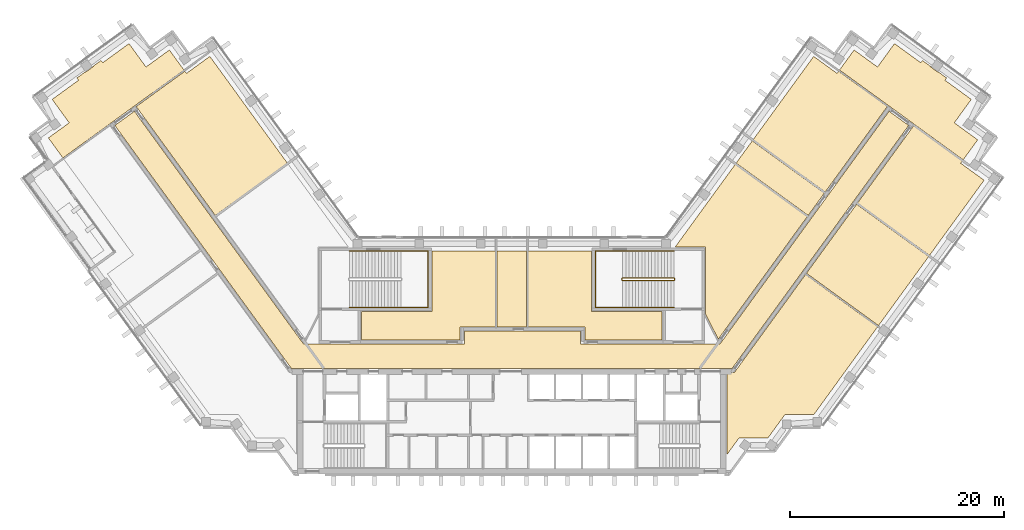
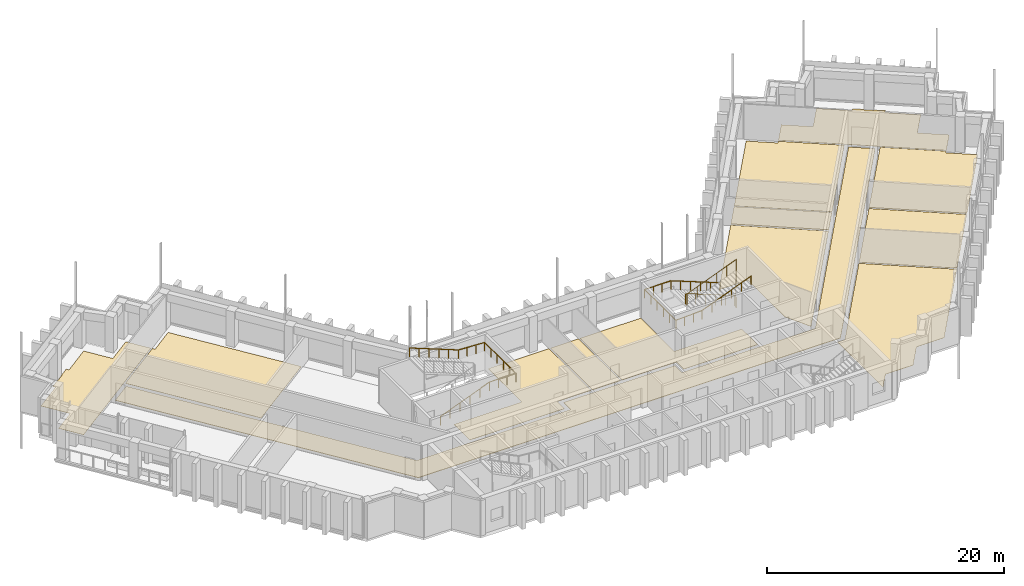
# One storey, part 13 of 13: 13 coverings, 3 railings.
"""IFC4 building model written with IfcOpenShell, lengths in metres."""

from ifc_helpers import new_model, si_unit, direction, frame, origin, origin_2d, place, context, subcontext, project, spatial, polyline, circle, outline, extrude, material, layer, layer_set, type_object, element, save


model = new_model("IFC4")

# Units and contexts
model_context = context("Model", 3, precision=1e-05, world=origin(), true_north=direction((0.0, 1.0)))
body_context = subcontext(model_context, "Body", "Model", "MODEL_VIEW")
ifc_project = project(units=[si_unit("LENGTHUNIT", "METRE"), si_unit("AREAUNIT", "SQUARE_METRE"), si_unit("VOLUMEUNIT", "CUBIC_METRE"), si_unit("PLANEANGLEUNIT", "RADIAN"), si_unit("MASSUNIT", "GRAM", prefix="KILO")], contexts=[model_context])

# Site, building, storey
site_placement = place(None, origin())
site = spatial("IfcSite", under=ifc_project, at=site_placement, CompositionType="ELEMENT")
building_placement = place(site_placement, origin())
building = spatial("IfcBuilding", under=site, at=building_placement, Name="Quipu Civic Tower", CompositionType="ELEMENT")
storey_placement = place(building_placement, frame((0.0, 0.0, 148.0)))
storey = spatial("IfcBuildingStorey", under=building, at=storey_placement, Name="L34", CompositionType="ELEMENT", Elevation=148.0)

# Coverings
ifc_material_1 = material(Name="Carpet tile on raised access floor")
ifc_layer_1 = layer(ifc_material_1, 0.02001953125)
ifc_layer_set_1 = layer_set([ifc_layer_1], Name="Carpet tile on raised access floor")
covering_type_1 = type_object("IfcCoveringType", Name="Carpet tile floor finish 20", PredefinedType="FLOORING", material=ifc_layer_set_1)
covering_1_placement = place(storey_placement, origin())
element("IfcCovering", 1, at=covering_1_placement, inside=storey, type_object=covering_type_1, Name="Carpet tile floor finish 20", PredefinedType="FLOORING", context=body_context, shape_type="SweptSolid", body=[
    extrude(outline(polyline([(-43.235107421875, 20.362060546875), (-41.2939453125, 21.77294921875), (-42.881103515625, 23.95703125), (-40.424072265625, 25.740966796875), (-40.574951171875, 25.952880859375), (-39.81298828125, 26.507080078125), (-39.80908203125, 26.5029296875), (-39.804931640625, 26.5009765625), (-39.801025390625, 26.498046875), (-39.7958984375, 26.49609375), (-39.7919921875, 26.4951171875), (-39.787109375, 26.493896484375), (-39.781982421875, 26.492919921875), (-39.777099609375, 26.492919921875), (-39.77197265625, 26.493896484375), (-39.76806640625, 26.4951171875), (-39.762939453125, 26.49609375), (-39.758056640625, 26.498046875), (-39.75390625, 26.5), (-39.75, 26.5029296875), (-39.10302734375, 26.972900390625), (-39.09912109375, 26.97607421875), (-39.094970703125, 26.97998046875), (-39.092041015625, 26.98291015625), (-39.089111328125, 26.987060546875), (-39.0869140625, 26.991943359375), (-39.0849609375, 26.99609375), (-39.083984375, 27.0009765625), (-39.0830078125, 27.006103515625), (-39.08203125, 27.010986328125), (-39.08203125, 27.014892578125), (-39.08203125, 27.02001953125), (-39.0830078125, 27.02490234375), (-39.0849609375, 27.030029296875), (-39.0869140625, 27.033935546875), (-38.324951171875, 27.587890625), (-38.169921875, 27.37890625), (-35.712890625, 29.1640625), (-34.126953125, 26.97998046875), (-31.94189453125, 28.56591796875), (-30.583984375, 26.697021484375), (-41.8779296875, 18.492919921875), (-43.235107421875, 20.362060546875)])), origin(), (0.0, 0.0, 1.0), 0.02001953125),
])
covering_2_placement = place(storey_placement, origin())
element("IfcCovering", 2, at=covering_2_placement, inside=storey, type_object=covering_type_1, Name="Carpet tile floor finish 20", PredefinedType="FLOORING", context=body_context, shape_type="SweptSolid", body=[
    extrude(outline(polyline([(15.238037109375, 10.169921875), (20.85498046875, 17.90087890625), (27.577880859375, 13.01708984375), (19.27197265625, 1.583984375), (18.070068359375, 3.94189453125), (18.070068359375, 10.1689453125), (15.238037109375, 10.169921875)])), origin(), (0.0, 0.0, 1.0), 0.02001953125),
])
covering_3_placement = place(storey_placement, origin())
element("IfcCovering", 3, at=covering_3_placement, inside=storey, type_object=covering_type_1, Name="Carpet tile floor finish 20", PredefinedType="FLOORING", context=body_context, shape_type="SweptSolid", body=[
    extrude(outline(polyline([(22.52490234375, 20.197998046875), (28.169921875, 27.968994140625), (30.35302734375, 26.383056640625), (30.5009765625, 26.583984375), (35.0400390625, 23.2880859375), (29.248046875, 15.31396484375), (22.52490234375, 20.197998046875)])), origin(), (0.0, 0.0, 1.0), 0.02001953125),
])
covering_4_placement = place(storey_placement, origin())
element("IfcCovering", 4, at=covering_4_placement, inside=storey, type_object=covering_type_1, Name="Carpet tile floor finish 20", PredefinedType="FLOORING", context=body_context, shape_type="SweptSolid", body=[
    extrude(outline(polyline([(20.070068359375, -9.195068359375), (20.070068359375, -1.52001953125), (20.77490234375, -1.51904296875), (27.416015625, 7.62109375), (34.138916015625, 2.738037109375), (28.181884765625, -5.4609375), (25.48193359375, -5.4619140625), (23.89501953125, -7.64599609375), (21.196044921875, -7.64599609375), (20.070068359375, -9.195068359375)])), origin(), (0.0, 0.0, 1.0), 0.02001953125),
])
covering_5_placement = place(storey_placement, origin())
element("IfcCovering", 5, at=covering_5_placement, inside=storey, type_object=covering_type_1, Name="Carpet tile floor finish 20", PredefinedType="FLOORING", context=body_context, shape_type="SweptSolid", body=[
    extrude(outline(polyline([(-14.030029296875, 1.52001953125), (-14.030029296875, 4.179931640625), (-7.429931640625, 4.180908203125), (-7.429931640625, 9.830078125), (-1.510009765625, 9.830078125), (-1.510009765625, 2.719970703125), (-4.819091796875, 2.719970703125), (-4.820068359375, 1.52001953125), (-14.030029296875, 1.52001953125)])), origin(), (0.0, 0.0, 1.0), 0.02001953125),
])
covering_6_placement = place(storey_placement, origin())
element("IfcCovering", 6, at=covering_6_placement, inside=storey, type_object=covering_type_1, Name="Carpet tile floor finish 20", PredefinedType="FLOORING", context=body_context, shape_type="SweptSolid", body=[
    extrude(outline(polyline([(-35.0400390625, 23.2880859375), (-30.5009765625, 26.583984375), (-30.35302734375, 26.383056640625), (-28.169921875, 27.968994140625), (-20.93798828125, 18.013916015625), (-27.660888671875, 13.1298828125), (-35.0400390625, 23.2880859375)])), origin(), (0.0, 0.0, 1.0), 0.02001953125),
])
covering_7_placement = place(storey_placement, origin())
element("IfcCovering", 7, at=covering_7_placement, inside=storey, type_object=covering_type_1, Name="Carpet tile floor finish 20", PredefinedType="FLOORING", context=body_context, shape_type="SweptSolid", body=[
    extrude(outline(polyline([(30.583984375, 26.697021484375), (31.94189453125, 28.56591796875), (34.126953125, 26.97998046875), (35.712890625, 29.1640625), (38.169921875, 27.37890625), (38.324951171875, 27.587890625), (39.0869140625, 27.033935546875), (39.0849609375, 27.030029296875), (39.0830078125, 27.02490234375), (39.08203125, 27.02001953125), (39.08203125, 27.014892578125), (39.08203125, 27.010986328125), (39.0830078125, 27.006103515625), (39.083984375, 27.0009765625), (39.0849609375, 26.99609375), (39.0869140625, 26.991943359375), (39.089111328125, 26.987060546875), (39.092041015625, 26.98291015625), (39.094970703125, 26.97998046875), (39.09912109375, 26.97607421875), (39.10302734375, 26.972900390625), (39.75, 26.5029296875), (39.75390625, 26.5), (39.758056640625, 26.498046875), (39.762939453125, 26.49609375), (39.76806640625, 26.4951171875), (39.77197265625, 26.493896484375), (39.777099609375, 26.492919921875), (39.781982421875, 26.492919921875), (39.787109375, 26.493896484375), (39.7919921875, 26.4951171875), (39.7958984375, 26.49609375), (39.801025390625, 26.498046875), (39.804931640625, 26.5009765625), (39.80908203125, 26.5029296875), (39.81298828125, 26.507080078125), (40.574951171875, 25.952880859375), (40.424072265625, 25.740966796875), (42.881103515625, 23.95703125), (41.2939453125, 21.77294921875), (43.47802734375, 20.18505859375), (42.12109375, 18.31591796875), (30.583984375, 26.697021484375)])), origin(), (0.0, 0.0, 1.0), 0.02001953125),
])
ifc_material_2 = material(Name="Ceramic floor tile")
ifc_layer_2 = layer(ifc_material_2, 0.030029296875)
ifc_layer_set_2 = layer_set([ifc_layer_2], Name="Ceramic floor tile")
covering_type_2 = type_object("IfcCoveringType", Name="Ceramic tile floor finish 30", PredefinedType="FLOORING", material=ifc_layer_set_2)
covering_8_placement = place(storey_placement, origin())
element("IfcCovering", 8, at=covering_8_placement, inside=storey, type_object=covering_type_2, Name="Ceramic tile floor finish 30", PredefinedType="FLOORING", context=body_context, shape_type="SweptSolid", body=[
    extrude(outline(polyline([(27.4990234375, 7.73388671875), (32.177001953125, 14.174072265625), (38.89990234375, 9.291015625), (34.221923828125, 2.85107421875), (27.4990234375, 7.73388671875)])), origin(), (0.0, 0.0, 1.0), 0.030029296875),
])
covering_9_placement = place(storey_placement, origin())
element("IfcCovering", 9, at=covering_9_placement, inside=storey, type_object=covering_type_2, Name="Ceramic tile floor finish 30", PredefinedType="FLOORING", context=body_context, shape_type="SweptSolid", body=[
    extrude(outline(polyline([(1.510009765625, 2.719970703125), (1.510009765625, 9.830078125), (7.429931640625, 9.830078125), (7.430908203125, 4.179931640625), (14.030029296875, 4.179931640625), (14.030029296875, 1.52001953125), (6.820068359375, 1.52001953125), (6.818115234375, 2.719970703125), (1.510009765625, 2.719970703125)])), origin(), (0.0, 0.0, 1.0), 0.030029296875),
])
covering_10_placement = place(storey_placement, origin())
element("IfcCovering", 10, at=covering_10_placement, inside=storey, type_object=covering_type_2, Name="Ceramic tile floor finish 30", PredefinedType="FLOORING", context=body_context, shape_type="SweptSolid", body=[
    extrude(outline(polyline([(-1.368896484375, 2.719970703125), (-1.368896484375, 9.830078125), (1.368896484375, 9.830078125), (1.368896484375, 2.719970703125), (-1.368896484375, 2.719970703125)])), origin(), (0.0, 0.0, 1.0), 0.030029296875),
])
ifc_material_3 = material(Name="Sealed cement screed")
ifc_layer_3 = layer(ifc_material_3, 0.050048828125)
ifc_layer_set_3 = layer_set([ifc_layer_3], Name="Sealed cement screed")
covering_type_3 = type_object("IfcCoveringType", Name="Sealed screed floor finish 50", PredefinedType="FLOORING", material=ifc_layer_set_3)
covering_11_placement = place(storey_placement, origin())
element("IfcCovering", 11, at=covering_11_placement, inside=storey, type_object=covering_type_3, Name="Sealed screed floor finish 50", PredefinedType="FLOORING", context=body_context, shape_type="SweptSolid", body=[
    extrude(outline(polyline([(20.93798828125, 18.013916015625), (22.44189453125, 20.0849609375), (29.1650390625, 15.200927734375), (27.660888671875, 13.1298828125), (20.93798828125, 18.013916015625)])), origin(), (0.0, 0.0, 1.0), 0.050048828125),
])
covering_12_placement = place(storey_placement, origin())
element("IfcCovering", 12, at=covering_12_placement, inside=storey, type_object=covering_type_3, Name="Sealed screed floor finish 50", PredefinedType="FLOORING", context=body_context, shape_type="SweptSolid", body=[
    extrude(outline(polyline([(32.260009765625, 14.287109375), (37.4990234375, 21.5), (42.0380859375, 18.201904296875), (41.89208984375, 17.9990234375), (44.074951171875, 16.4140625), (38.98291015625, 9.404052734375), (32.260009765625, 14.287109375)])), origin(), (0.0, 0.0, 1.0), 0.050048828125),
])

# Railings
ifc_material_4 = material(Name="Stainless steel", Category="steel")
railing_type_1 = type_object("IfcRailingType", Name="Stair guard 1100", PredefinedType="GUARDRAIL", material=ifc_material_4)
railing_1_placement = place(storey_placement, frame((15.14990234375, 7.300048828125, 0.11767578125)))
element("IfcRailing", 13, at=railing_1_placement, inside=storey, type_object=railing_type_1, Name="Stair 4 guard", PredefinedType="GUARDRAIL", context=body_context, shape_type="SweptSolid", body=[
    extrude(circle(Radius=0.02392578125, at=origin_2d()), frame((0.0, 0.0, 1.076171875), z_axis=(-0.930970042603, 0.0, 0.365095576219), x_axis=(0.0, -1.0, 0.0)), (0.0, 0.0, 1.0), 5.15576171875),
    extrude(circle(Radius=0.02392578125, at=origin_2d()), frame((-4.7998046875, 0.0, 2.95849609375), z_axis=(-0.707106781187, -0.707106781187, 0.0), x_axis=(0.707106781187, -0.707106781187, 0.0)), (0.0, 0.0, 1.0), 0.07080078125),
    extrude(circle(Radius=0.02392578125, at=origin_2d()), frame((-4.849853515625, -0.050048828125, 2.95849609375), z_axis=(0.0, -1.0, 0.0), x_axis=(1.0, 0.0, 0.0)), (0.0, 0.0, 1.0), 0.14990234375),
    extrude(circle(Radius=0.02392578125, at=origin_2d()), frame((-4.849853515625, -0.199951171875, 2.95849609375), z_axis=(0.364463019033, -0.364463019033, 0.856932561824), x_axis=(0.707106781187, 0.707106781187, 0.0)), (0.0, 0.0, 1.0), 0.13720703125),
    extrude(circle(Radius=0.02392578125, at=origin_2d()), frame((-4.7998046875, -0.25, 3.076171875), z_axis=(0.930970042603, 0.0, 0.365095576219), x_axis=(0.0, 1.0, 0.0)), (0.0, 0.0, 1.0), 5.15576171875),
    extrude(circle(Radius=0.02392578125, at=origin_2d()), frame((0.0, -0.25, 4.95849609375), z_axis=(0.012495627992, 0.049921557685, -0.998674970829), x_axis=(-0.970072785993, 0.242814311512, 0.0)), (0.0, 0.0, 1.0), 4.00537109375),
    extrude(circle(Radius=0.02392578125, at=origin_2d()), frame((0.050048828125, -0.050048828125, 0.95849609375), z_axis=(0.0, -1.0, 0.0), x_axis=(1.0, 0.0, 0.0)), (0.0, 0.0, 1.0), 0.14990234375),
    extrude(circle(Radius=0.02099609375, at=origin_2d()), origin(), (0.0, 0.0, 1.0), 1.052001953125),
    extrude(circle(Radius=0.02099609375, at=origin_2d()), frame((-0.9599609375, 0.0, 0.37646484375)), (0.0, 0.0, 1.0), 1.052001953125),
    extrude(circle(Radius=0.02099609375, at=origin_2d()), frame((-1.919921875, 0.0, 0.7529296875)), (0.0, 0.0, 1.0), 1.052001953125),
    extrude(circle(Radius=0.02099609375, at=origin_2d()), frame((-2.8798828125, 0.0, 1.12939453125)), (0.0, 0.0, 1.0), 1.052001953125),
    extrude(circle(Radius=0.02099609375, at=origin_2d()), frame((-3.83984375, 0.0, 1.505859375)), (0.0, 0.0, 1.0), 1.052001953125),
    extrude(circle(Radius=0.02099609375, at=origin_2d()), frame((-4.7998046875, 0.0, 1.88232421875)), (0.0, 0.0, 1.0), 1.052001953125),
    extrude(circle(Radius=0.02099609375, at=origin_2d()), frame((-4.849853515625, -0.050048828125, 1.88232421875)), (0.0, 0.0, 1.0), 1.052001953125),
    extrude(circle(Radius=0.02099609375, at=origin_2d()), frame((-4.849853515625, -0.199951171875, 1.88232421875)), (0.0, 0.0, 1.0), 1.052001953125),
    extrude(circle(Radius=0.02099609375, at=origin_2d()), frame((-4.7998046875, -0.25, 2.0)), (0.0, 0.0, 1.0), 1.052001953125),
    extrude(circle(Radius=0.02099609375, at=origin_2d()), frame((-3.83984375, -0.25, 2.37646484375)), (0.0, 0.0, 1.0), 1.052001953125),
    extrude(circle(Radius=0.02099609375, at=origin_2d()), frame((-2.8798828125, -0.25, 2.7529296875)), (0.0, 0.0, 1.0), 1.052001953125),
    extrude(circle(Radius=0.02099609375, at=origin_2d()), frame((-1.919921875, -0.25, 3.12939453125)), (0.0, 0.0, 1.0), 1.052001953125),
    extrude(circle(Radius=0.02099609375, at=origin_2d()), frame((-0.9599609375, -0.25, 3.505859375)), (0.0, 0.0, 1.0), 1.052001953125),
    extrude(circle(Radius=0.02099609375, at=origin_2d()), frame((0.0, -0.25, 3.88232421875)), (0.0, 0.0, 1.0), 1.052001953125),
    extrude(circle(Radius=0.02099609375, at=origin_2d()), frame((0.012451171875, -0.199951171875, 2.88232421875)), (0.0, 0.0, 1.0), 1.052001953125),
    extrude(circle(Radius=0.02099609375, at=origin_2d()), frame((0.02490234375, -0.14990234375, 1.88232421875)), (0.0, 0.0, 1.0), 1.052001953125),
    extrude(circle(Radius=0.02099609375, at=origin_2d()), frame((0.03759765625, -0.10009765625, 0.88232421875)), (0.0, 0.0, 1.0), 1.052001953125),
    extrude(circle(Radius=0.02099609375, at=origin_2d()), frame((0.050048828125, -0.050048828125, -0.11767578125)), (0.0, 0.0, 1.0), 1.052001953125),
    extrude(circle(Radius=0.02099609375, at=origin_2d()), frame((0.050048828125, -0.199951171875, -0.11767578125)), (0.0, 0.0, 1.0), 1.052001953125),
])
ifc_material_5 = material(Name="Stainless steel", Category="steel")
railing_type_2 = type_object("IfcRailingType", Name="Stair handrail", PredefinedType="HANDRAIL", material=ifc_material_5)
railing_2_placement = place(storey_placement, frame((-15.14990234375, 4.550048828125, 0.11767578125)))
element("IfcRailing", 14, at=railing_2_placement, inside=storey, type_object=railing_type_2, Name="Stair 3 handrail", PredefinedType="HANDRAIL", context=body_context, shape_type="SweptSolid", body=[
    extrude(circle(Radius=0.02392578125, at=origin_2d()), frame((0.0, 0.0, 0.8759765625), z_axis=(0.930970042603, 0.0, 0.365095576219), x_axis=(0.0, 1.0, 0.0)), (0.0, 0.0, 1.0), 5.15576171875),
    extrude(circle(Radius=0.02392578125, at=origin_2d()), frame((4.7998046875, 0.0, 2.75830078125), z_axis=(1.0, 0.0, 0.0), x_axis=(0.0, 1.0, 0.0)), (0.0, 0.0, 1.0), 2.550048828125),
    extrude(circle(Radius=0.02392578125, at=origin_2d()), frame((7.349853515625, 0.0, 2.75830078125), z_axis=(0.0, 1.0, 0.0), x_axis=(-1.0, 0.0, 0.0)), (0.0, 0.0, 1.0), 5.25),
    extrude(circle(Radius=0.02392578125, at=origin_2d()), frame((7.349853515625, 5.25, 2.75830078125), z_axis=(-0.998936948642, 0.0, 0.04609742549), x_axis=(0.0, -1.0, 0.0)), (0.0, 0.0, 1.0), 2.552734375),
    extrude(circle(Radius=0.02392578125, at=origin_2d()), frame((4.7998046875, 5.25, 2.8759765625), z_axis=(-0.930970042603, 0.0, 0.365095576219), x_axis=(0.0, -1.0, 0.0)), (0.0, 0.0, 1.0), 5.15576171875),
    extrude(circle(Radius=0.02099609375, at=origin_2d()), origin(), (0.0, 0.0, 1.0), 0.851806640625),
    extrude(circle(Radius=0.02099609375, at=origin_2d()), frame((0.9599609375, 0.0, 0.37646484375)), (0.0, 0.0, 1.0), 0.851806640625),
    extrude(circle(Radius=0.02099609375, at=origin_2d()), frame((1.919921875, 0.0, 0.7529296875)), (0.0, 0.0, 1.0), 0.851806640625),
    extrude(circle(Radius=0.02099609375, at=origin_2d()), frame((2.8798828125, 0.0, 1.12939453125)), (0.0, 0.0, 1.0), 0.851806640625),
    extrude(circle(Radius=0.02099609375, at=origin_2d()), frame((3.83984375, 0.0, 1.505859375)), (0.0, 0.0, 1.0), 0.851806640625),
    extrude(circle(Radius=0.02099609375, at=origin_2d()), frame((4.7998046875, 0.0, 1.88232421875)), (0.0, 0.0, 1.0), 0.851806640625),
    extrude(circle(Radius=0.02099609375, at=origin_2d()), frame((5.64990234375, 0.0, 1.88232421875)), (0.0, 0.0, 1.0), 0.851806640625),
    extrude(circle(Radius=0.02099609375, at=origin_2d()), frame((6.499755859375, 0.0, 1.88232421875)), (0.0, 0.0, 1.0), 0.851806640625),
    extrude(circle(Radius=0.02099609375, at=origin_2d()), frame((7.349853515625, 0.0, 1.88232421875)), (0.0, 0.0, 1.0), 0.851806640625),
    extrude(circle(Radius=0.02099609375, at=origin_2d()), frame((7.349853515625, 1.050048828125, 1.88232421875)), (0.0, 0.0, 1.0), 0.851806640625),
    extrude(circle(Radius=0.02099609375, at=origin_2d()), frame((7.349853515625, 2.10009765625, 1.88232421875)), (0.0, 0.0, 1.0), 0.851806640625),
    extrude(circle(Radius=0.02099609375, at=origin_2d()), frame((7.349853515625, 3.14990234375, 1.88232421875)), (0.0, 0.0, 1.0), 0.851806640625),
    extrude(circle(Radius=0.02099609375, at=origin_2d()), frame((7.349853515625, 4.199951171875, 1.88232421875)), (0.0, 0.0, 1.0), 0.851806640625),
    extrude(circle(Radius=0.02099609375, at=origin_2d()), frame((7.349853515625, 5.25, 1.88232421875)), (0.0, 0.0, 1.0), 0.851806640625),
    extrude(circle(Radius=0.02099609375, at=origin_2d()), frame((6.499755859375, 5.25, 1.921630859375)), (0.0, 0.0, 1.0), 0.851806640625),
    extrude(circle(Radius=0.02099609375, at=origin_2d()), frame((5.64990234375, 5.25, 1.960693359375)), (0.0, 0.0, 1.0), 0.851806640625),
    extrude(circle(Radius=0.02099609375, at=origin_2d()), frame((4.7998046875, 5.25, 2.0)), (0.0, 0.0, 1.0), 0.851806640625),
    extrude(circle(Radius=0.02099609375, at=origin_2d()), frame((3.83984375, 5.25, 2.37646484375)), (0.0, 0.0, 1.0), 0.851806640625),
    extrude(circle(Radius=0.02099609375, at=origin_2d()), frame((2.8798828125, 5.25, 2.7529296875)), (0.0, 0.0, 1.0), 0.851806640625),
    extrude(circle(Radius=0.02099609375, at=origin_2d()), frame((1.919921875, 5.25, 3.12939453125)), (0.0, 0.0, 1.0), 0.851806640625),
    extrude(circle(Radius=0.02099609375, at=origin_2d()), frame((0.9599609375, 5.25, 3.505859375)), (0.0, 0.0, 1.0), 0.851806640625),
    extrude(circle(Radius=0.02099609375, at=origin_2d()), frame((0.0, 5.25, 3.88232421875)), (0.0, 0.0, 1.0), 0.851806640625),
])
railing_3_placement = place(storey_placement, frame((15.14990234375, 9.800048828125, 0.11767578125)))
element("IfcRailing", 15, at=railing_3_placement, inside=storey, type_object=railing_type_2, Name="Stair 4 handrail", PredefinedType="HANDRAIL", context=body_context, shape_type="SweptSolid", body=[
    extrude(circle(Radius=0.02392578125, at=origin_2d()), frame((0.0, 0.0, 0.8759765625), z_axis=(-0.930970042603, 0.0, 0.365095576219), x_axis=(0.0, -1.0, 0.0)), (0.0, 0.0, 1.0), 5.15576171875),
    extrude(circle(Radius=0.02392578125, at=origin_2d()), frame((-4.7998046875, 0.0, 2.75830078125), z_axis=(-1.0, 0.0, 0.0), x_axis=(0.0, -1.0, 0.0)), (0.0, 0.0, 1.0), 2.550048828125),
    extrude(circle(Radius=0.02392578125, at=origin_2d()), frame((-7.349853515625, 0.0, 2.75830078125), z_axis=(0.0, -1.0, 0.0), x_axis=(1.0, 0.0, 0.0)), (0.0, 0.0, 1.0), 5.25),
    extrude(circle(Radius=0.02392578125, at=origin_2d()), frame((-7.349853515625, -5.25, 2.75830078125), z_axis=(0.998936948642, 0.0, 0.04609742549), x_axis=(0.0, 1.0, 0.0)), (0.0, 0.0, 1.0), 2.552734375),
    extrude(circle(Radius=0.02392578125, at=origin_2d()), frame((-4.7998046875, -5.25, 2.8759765625), z_axis=(0.930970042603, 0.0, 0.365095576219), x_axis=(0.0, 1.0, 0.0)), (0.0, 0.0, 1.0), 5.15576171875),
    extrude(circle(Radius=0.02099609375, at=origin_2d()), origin(), (0.0, 0.0, 1.0), 0.851806640625),
    extrude(circle(Radius=0.02099609375, at=origin_2d()), frame((-0.9599609375, 0.0, 0.37646484375)), (0.0, 0.0, 1.0), 0.851806640625),
    extrude(circle(Radius=0.02099609375, at=origin_2d()), frame((-1.919921875, 0.0, 0.7529296875)), (0.0, 0.0, 1.0), 0.851806640625),
    extrude(circle(Radius=0.02099609375, at=origin_2d()), frame((-2.8798828125, 0.0, 1.12939453125)), (0.0, 0.0, 1.0), 0.851806640625),
    extrude(circle(Radius=0.02099609375, at=origin_2d()), frame((-3.83984375, 0.0, 1.505859375)), (0.0, 0.0, 1.0), 0.851806640625),
    extrude(circle(Radius=0.02099609375, at=origin_2d()), frame((-4.7998046875, 0.0, 1.88232421875)), (0.0, 0.0, 1.0), 0.851806640625),
    extrude(circle(Radius=0.02099609375, at=origin_2d()), frame((-5.64990234375, 0.0, 1.88232421875)), (0.0, 0.0, 1.0), 0.851806640625),
    extrude(circle(Radius=0.02099609375, at=origin_2d()), frame((-6.499755859375, 0.0, 1.88232421875)), (0.0, 0.0, 1.0), 0.851806640625),
    extrude(circle(Radius=0.02099609375, at=origin_2d()), frame((-7.349853515625, 0.0, 1.88232421875)), (0.0, 0.0, 1.0), 0.851806640625),
    extrude(circle(Radius=0.02099609375, at=origin_2d()), frame((-7.349853515625, -1.050048828125, 1.88232421875)), (0.0, 0.0, 1.0), 0.851806640625),
    extrude(circle(Radius=0.02099609375, at=origin_2d()), frame((-7.349853515625, -2.10009765625, 1.88232421875)), (0.0, 0.0, 1.0), 0.851806640625),
    extrude(circle(Radius=0.02099609375, at=origin_2d()), frame((-7.349853515625, -3.14990234375, 1.88232421875)), (0.0, 0.0, 1.0), 0.851806640625),
    extrude(circle(Radius=0.02099609375, at=origin_2d()), frame((-7.349853515625, -4.199951171875, 1.88232421875)), (0.0, 0.0, 1.0), 0.851806640625),
    extrude(circle(Radius=0.02099609375, at=origin_2d()), frame((-7.349853515625, -5.25, 1.88232421875)), (0.0, 0.0, 1.0), 0.851806640625),
    extrude(circle(Radius=0.02099609375, at=origin_2d()), frame((-6.499755859375, -5.25, 1.921630859375)), (0.0, 0.0, 1.0), 0.851806640625),
    extrude(circle(Radius=0.02099609375, at=origin_2d()), frame((-5.64990234375, -5.25, 1.960693359375)), (0.0, 0.0, 1.0), 0.851806640625),
    extrude(circle(Radius=0.02099609375, at=origin_2d()), frame((-4.7998046875, -5.25, 2.0)), (0.0, 0.0, 1.0), 0.851806640625),
    extrude(circle(Radius=0.02099609375, at=origin_2d()), frame((-3.83984375, -5.25, 2.37646484375)), (0.0, 0.0, 1.0), 0.851806640625),
    extrude(circle(Radius=0.02099609375, at=origin_2d()), frame((-2.8798828125, -5.25, 2.7529296875)), (0.0, 0.0, 1.0), 0.851806640625),
    extrude(circle(Radius=0.02099609375, at=origin_2d()), frame((-1.919921875, -5.25, 3.12939453125)), (0.0, 0.0, 1.0), 0.851806640625),
    extrude(circle(Radius=0.02099609375, at=origin_2d()), frame((-0.9599609375, -5.25, 3.505859375)), (0.0, 0.0, 1.0), 0.851806640625),
    extrude(circle(Radius=0.02099609375, at=origin_2d()), frame((0.0, -5.25, 3.88232421875)), (0.0, 0.0, 1.0), 0.851806640625),
])

# Covering
ifc_material_6 = material(Name="Terrazzo floor finish")
ifc_layer_4 = layer(ifc_material_6, 0.0400390625)
ifc_layer_set_4 = layer_set([ifc_layer_4], Name="Terrazzo floor finish")
covering_type_4 = type_object("IfcCoveringType", Name="Terrazzo floor finish 40", PredefinedType="FLOORING", material=ifc_layer_set_4)
covering_13_placement = place(storey_placement, origin())
element("IfcCovering", 16, at=covering_13_placement, inside=storey, type_object=covering_type_4, Name="Terrazzo floor finish 40", PredefinedType="FLOORING", context=body_context, shape_type="SweptSolid", body=[
    extrude(outline(polyline([(19.425048828125, 1.1298828125), (35.208984375, 22.85498046875), (37.037109375, 21.527099609375), (20.574951171875, -1.1298828125), (-20.574951171875, -1.1298828125), (-37.037109375, 21.527099609375), (-35.208984375, 22.85498046875), (-19.425048828125, 1.1298828125), (-4.429931640625, 1.1298828125), (-4.429931640625, 2.330078125), (6.429931640625, 2.330078125), (6.429931640625, 1.1298828125), (19.425048828125, 1.1298828125)])), origin(), (0.0, 0.0, 1.0), 0.0400390625),
])

save(model, "model.ifc")
